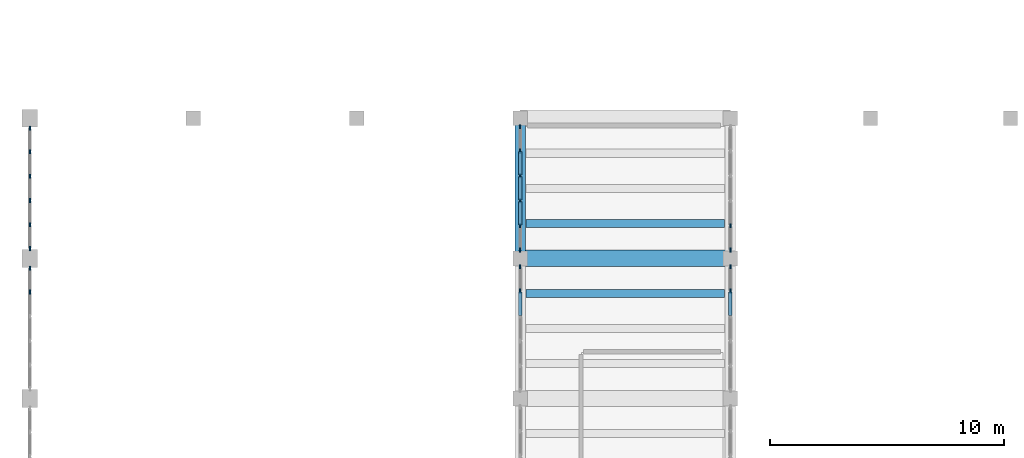
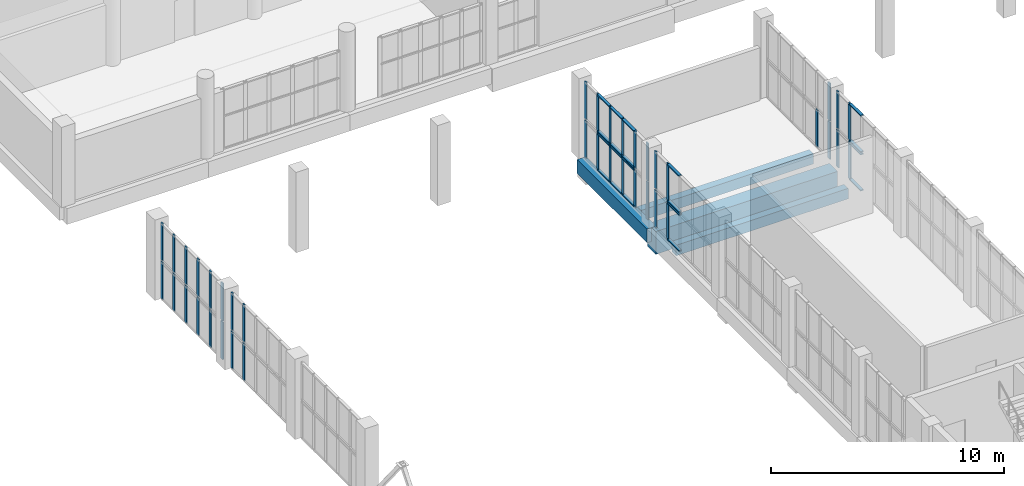
# One storey, part 18 of 85: 59 members, 4 beams, 12 elements without a shape of their own.
"""IFC4 building model written with IfcOpenShell, lengths in metres."""

from ifc_helpers import new_model, si_unit, direction, frame, origin, origin_2d, place, context, subcontext, project, spatial, rectangle, extrude, material, layer, layer_set, material_profile, profile_set, type_object, element, aggregate, save


model = new_model("IFC4")

# Units and contexts
model_context = context("Model", 3, precision=1e-05, world=origin(), true_north=direction((0.0, 1.0)))
body_context = subcontext(model_context, "Body", "Model", "MODEL_VIEW")
ifc_project = project(units=[si_unit("LENGTHUNIT", "METRE"), si_unit("AREAUNIT", "SQUARE_METRE"), si_unit("VOLUMEUNIT", "CUBIC_METRE"), si_unit("PLANEANGLEUNIT", "RADIAN"), si_unit("MASSUNIT", "GRAM", prefix="KILO")], contexts=[model_context])

# Site, building, storey
site_placement = place(None, origin())
site = spatial("IfcSite", under=ifc_project, at=site_placement, CompositionType="ELEMENT")
building_placement = place(site_placement, origin())
building = spatial("IfcBuilding", under=site, at=building_placement, Name="Solvane Community Centre", CompositionType="ELEMENT")
storey_placement = place(building_placement, frame((0.0, 0.0, 5.39990234375)))
storey = spatial("IfcBuildingStorey", under=building, at=storey_placement, Name="L01", CompositionType="ELEMENT", Elevation=5.39990234375)

# Curtain wall, members
ifc_material_1 = material(Name="Anodised bronze aluminium AW-6063 T6", Category="aluminium")
ifc_layer_1 = layer(ifc_material_1, 0.179931640625)
ifc_layer_set_1 = layer_set([ifc_layer_1], Name="Anodised bronze aluminium AW-6063 T6")
curtain_wall_type_1 = type_object("IfcCurtainWallType", Name="Hall Translucent Upper Curtain Wall [53x19dm]", PredefinedType="NOTDEFINED", material=ifc_layer_set_1)
curtain_wall_1_placement = place(storey_placement, origin())
curtain_wall_1 = element("IfcCurtainWall", 1, at=curtain_wall_1_placement, inside=storey, type_object=curtain_wall_type_1, Name="Curtain Wall CW-L01-360_663-057", PredefinedType="NOTDEFINED")
ifc_material_profile_1 = material_profile(ifc_material_1, rectangle(XDim=0.06005859375, YDim=0.179931640625, at=origin_2d()), Name="CW-M 60x180")
ifc_profile_set_1 = profile_set([ifc_material_profile_1], Name="Anodised bronze aluminium AW-6063 T6")
member_type_1 = type_object("IfcMemberType", Name="Hall Mullion 60x180", PredefinedType="MULLION", material=ifc_profile_set_1)
member_1_placement = place(storey_placement, frame((36.0, 70.60205078125, 0.0), z_axis=(0.0, 0.0, 1.0), x_axis=(-1.0, 0.0, 0.0)))
member_1 = element("IfcMember", 2, at=member_1_placement, type_object=member_type_1, Name="CW01-53x19 mullion 5", PredefinedType="MULLION", context=body_context, shape_type="SweptSolid", body=[
    extrude(rectangle(XDim=0.06005859375, YDim=0.179931640625, at=origin_2d()), origin(), (0.0, 0.0, 1.0), 1.9501953125),
])
member_2_placement = place(storey_placement, frame((36.0, 71.639892578125, 0.0), z_axis=(0.0, 0.0, 1.0), x_axis=(-1.0, 0.0, 0.0)))
member_2 = element("IfcMember", 3, at=member_2_placement, type_object=member_type_1, Name="CW01-53x19 mullion 6", PredefinedType="MULLION", context=body_context, shape_type="SweptSolid", body=[
    extrude(rectangle(XDim=0.06005859375, YDim=0.179931640625, at=origin_2d()), origin(), (0.0, 0.0, 1.0), 1.9501953125),
])

ifc_layer_2 = layer(ifc_material_1, 0.179931640625)
ifc_layer_set_2 = layer_set([ifc_layer_2], Name="Anodised bronze aluminium AW-6063 T6")
curtain_wall_type_2 = type_object("IfcCurtainWallType", Name="Hall Translucent Upper Curtain Wall [53x20dm]", PredefinedType="NOTDEFINED", material=ifc_layer_set_2)
curtain_wall_2_placement = place(storey_placement, origin())
curtain_wall_2 = element("IfcCurtainWall", 4, at=curtain_wall_2_placement, inside=storey, type_object=curtain_wall_type_2, Name="Curtain Wall CW-L01-360_663-058", PredefinedType="NOTDEFINED")
member_3_placement = place(storey_placement, frame((36.0, 70.60205078125, 2.02001953125), z_axis=(0.0, 0.0, 1.0), x_axis=(-1.0, 0.0, 0.0)))
member_3 = element("IfcMember", 5, at=member_3_placement, type_object=member_type_1, Name="CW01-53x20 mullion 5", PredefinedType="MULLION", context=body_context, shape_type="SweptSolid", body=[
    extrude(rectangle(XDim=0.06005859375, YDim=0.179931640625, at=origin_2d()), origin(), (0.0, 0.0, 1.0), 1.9599609375),
])
member_4_placement = place(storey_placement, frame((36.0, 71.639892578125, 2.02001953125), z_axis=(0.0, 0.0, 1.0), x_axis=(-1.0, 0.0, 0.0)))
member_4 = element("IfcMember", 6, at=member_4_placement, type_object=member_type_1, Name="CW01-53x20 mullion 6", PredefinedType="MULLION", context=body_context, shape_type="SweptSolid", body=[
    extrude(rectangle(XDim=0.06005859375, YDim=0.179931640625, at=origin_2d()), origin(), (0.0, 0.0, 1.0), 1.9599609375),
])

ifc_layer_3 = layer(ifc_material_1, 0.179931640625)
ifc_layer_set_3 = layer_set([ifc_layer_3], Name="Anodised bronze aluminium AW-6063 T6")
curtain_wall_type_3 = type_object("IfcCurtainWallType", Name="Hall Translucent Upper Curtain Wall [52x19dm]", PredefinedType="NOTDEFINED", material=ifc_layer_set_3)
curtain_wall_3_placement = place(storey_placement, origin())
curtain_wall_3 = element("IfcCurtainWall", 7, at=curtain_wall_3_placement, inside=storey, type_object=curtain_wall_type_3, Name="Curtain Wall CW-L01-60_664-061", PredefinedType="NOTDEFINED")
member_5_placement = place(storey_placement, frame((6.0, 70.56298828125, 0.0), z_axis=(0.0, 0.0, 1.0), x_axis=(-1.0, 0.0, 0.0)))
member_5 = element("IfcMember", 8, at=member_5_placement, type_object=member_type_1, Name="CW01-52x19 mullion 5", PredefinedType="MULLION", context=body_context, shape_type="SweptSolid", body=[
    extrude(rectangle(XDim=0.06005859375, YDim=0.179931640625, at=origin_2d()), origin(), (0.0, 0.0, 1.0), 1.9501953125),
])
member_6_placement = place(storey_placement, frame((6.0, 71.574951171875, 0.0), z_axis=(0.0, 0.0, 1.0), x_axis=(-1.0, 0.0, 0.0)))
member_6 = element("IfcMember", 9, at=member_6_placement, type_object=member_type_1, Name="CW01-52x19 mullion 6", PredefinedType="MULLION", context=body_context, shape_type="SweptSolid", body=[
    extrude(rectangle(XDim=0.06005859375, YDim=0.179931640625, at=origin_2d()), origin(), (0.0, 0.0, 1.0), 1.9501953125),
])
aggregate(curtain_wall_3, [member_5, member_6])

ifc_layer_4 = layer(ifc_material_1, 0.179931640625)
ifc_layer_set_4 = layer_set([ifc_layer_4], Name="Anodised bronze aluminium AW-6063 T6")
curtain_wall_type_4 = type_object("IfcCurtainWallType", Name="Hall Translucent Upper Curtain Wall [52x20dm]", PredefinedType="NOTDEFINED", material=ifc_layer_set_4)
curtain_wall_4_placement = place(storey_placement, origin())
curtain_wall_4 = element("IfcCurtainWall", 10, at=curtain_wall_4_placement, inside=storey, type_object=curtain_wall_type_4, Name="Curtain Wall CW-L01-60_664-062", PredefinedType="NOTDEFINED")
member_7_placement = place(storey_placement, frame((6.0, 70.56298828125, 2.02001953125), z_axis=(0.0, 0.0, 1.0), x_axis=(-1.0, 0.0, 0.0)))
member_7 = element("IfcMember", 11, at=member_7_placement, type_object=member_type_1, Name="CW01-52x20 mullion 5", PredefinedType="MULLION", context=body_context, shape_type="SweptSolid", body=[
    extrude(rectangle(XDim=0.06005859375, YDim=0.179931640625, at=origin_2d()), origin(), (0.0, 0.0, 1.0), 1.9599609375),
])
member_8_placement = place(storey_placement, frame((6.0, 71.574951171875, 2.02001953125), z_axis=(0.0, 0.0, 1.0), x_axis=(-1.0, 0.0, 0.0)))
member_8 = element("IfcMember", 12, at=member_8_placement, type_object=member_type_1, Name="CW01-52x20 mullion 6", PredefinedType="MULLION", context=body_context, shape_type="SweptSolid", body=[
    extrude(rectangle(XDim=0.06005859375, YDim=0.179931640625, at=origin_2d()), origin(), (0.0, 0.0, 1.0), 1.9599609375),
])
aggregate(curtain_wall_4, [member_7, member_8])

curtain_wall_5_placement = place(storey_placement, origin())
curtain_wall_5 = element("IfcCurtainWall", 13, at=curtain_wall_5_placement, inside=storey, type_object=curtain_wall_type_1, Name="Curtain Wall CW-L01-270_717-063", PredefinedType="NOTDEFINED")
member_9_placement = place(storey_placement, frame((27.0, 71.639892578125, 0.0), z_axis=(0.0, 0.0, 1.0), x_axis=(1.0, 0.0, 0.0)))
member_9 = element("IfcMember", 14, at=member_9_placement, type_object=member_type_1, Name="CW01-53x19 mullion 1", PredefinedType="MULLION", context=body_context, shape_type="SweptSolid", body=[
    extrude(rectangle(XDim=0.06005859375, YDim=0.179931640625, at=origin_2d()), origin(), (0.0, 0.0, 1.0), 1.9501953125),
])
member_10_placement = place(storey_placement, frame((27.0, 70.60205078125, 0.0), z_axis=(0.0, 0.0, 1.0), x_axis=(1.0, 0.0, 0.0)))
member_10 = element("IfcMember", 15, at=member_10_placement, type_object=member_type_1, Name="CW01-53x19 mullion 2", PredefinedType="MULLION", context=body_context, shape_type="SweptSolid", body=[
    extrude(rectangle(XDim=0.06005859375, YDim=0.179931640625, at=origin_2d()), origin(), (0.0, 0.0, 1.0), 1.9501953125),
])

curtain_wall_6_placement = place(storey_placement, origin())
curtain_wall_6 = element("IfcCurtainWall", 16, at=curtain_wall_6_placement, inside=storey, type_object=curtain_wall_type_2, Name="Curtain Wall CW-L01-270_717-064", PredefinedType="NOTDEFINED")
member_11_placement = place(storey_placement, frame((27.0, 71.639892578125, 2.02001953125), z_axis=(0.0, 0.0, 1.0), x_axis=(1.0, 0.0, 0.0)))
member_11 = element("IfcMember", 17, at=member_11_placement, type_object=member_type_1, Name="CW01-53x20 mullion 1", PredefinedType="MULLION", context=body_context, shape_type="SweptSolid", body=[
    extrude(rectangle(XDim=0.06005859375, YDim=0.179931640625, at=origin_2d()), origin(), (0.0, 0.0, 1.0), 1.9599609375),
])
member_12_placement = place(storey_placement, frame((27.0, 70.60205078125, 2.02001953125), z_axis=(0.0, 0.0, 1.0), x_axis=(1.0, 0.0, 0.0)))
member_12 = element("IfcMember", 18, at=member_12_placement, type_object=member_type_1, Name="CW01-53x20 mullion 2", PredefinedType="MULLION", context=body_context, shape_type="SweptSolid", body=[
    extrude(rectangle(XDim=0.06005859375, YDim=0.179931640625, at=origin_2d()), origin(), (0.0, 0.0, 1.0), 1.9599609375),
])

curtain_wall_7_placement = place(storey_placement, origin())
curtain_wall_7 = element("IfcCurtainWall", 19, at=curtain_wall_7_placement, inside=storey, type_object=curtain_wall_type_1, Name="Curtain Wall CW-L01-360_723-065", PredefinedType="NOTDEFINED")
member_13_placement = place(storey_placement, frame((36.0, 72.360107421875, 0.0), z_axis=(0.0, 0.0, 1.0), x_axis=(-1.0, 0.0, 0.0)))
member_13 = element("IfcMember", 20, at=member_13_placement, type_object=member_type_1, Name="CW01-53x19 mullion 1", PredefinedType="MULLION", context=body_context, shape_type="SweptSolid", body=[
    extrude(rectangle(XDim=0.06005859375, YDim=0.179931640625, at=origin_2d()), origin(), (0.0, 0.0, 1.0), 1.9501953125),
])
member_14_placement = place(storey_placement, frame((36.0, 73.39794921875, 0.0), z_axis=(0.0, 0.0, 1.0), x_axis=(-1.0, 0.0, 0.0)))
member_14 = element("IfcMember", 21, at=member_14_placement, type_object=member_type_1, Name="CW01-53x19 mullion 2", PredefinedType="MULLION", context=body_context, shape_type="SweptSolid", body=[
    extrude(rectangle(XDim=0.06005859375, YDim=0.179931640625, at=origin_2d()), origin(), (0.0, 0.0, 1.0), 1.9501953125),
])
aggregate(curtain_wall_7, [member_13, member_14])

# Curtain wall, member
curtain_wall_8_placement = place(storey_placement, origin())
curtain_wall_8 = element("IfcCurtainWall", 22, at=curtain_wall_8_placement, inside=storey, type_object=curtain_wall_type_2, Name="Curtain Wall CW-L01-360_723-066", PredefinedType="NOTDEFINED")
member_15_placement = place(storey_placement, frame((36.0, 72.360107421875, 2.02001953125), z_axis=(0.0, 0.0, 1.0), x_axis=(-1.0, 0.0, 0.0)))
member_15 = element("IfcMember", 23, at=member_15_placement, type_object=member_type_1, Name="CW01-53x20 mullion 1", PredefinedType="MULLION", context=body_context, shape_type="SweptSolid", body=[
    extrude(rectangle(XDim=0.06005859375, YDim=0.179931640625, at=origin_2d()), origin(), (0.0, 0.0, 1.0), 1.9599609375),
])
aggregate(curtain_wall_8, [member_15])

# Curtain wall, members
curtain_wall_9_placement = place(storey_placement, origin())
curtain_wall_9 = element("IfcCurtainWall", 24, at=curtain_wall_9_placement, inside=storey, type_object=curtain_wall_type_3, Name="Curtain Wall CW-L01-60_724-069", PredefinedType="NOTDEFINED")
member_16_placement = place(storey_placement, frame((6.0, 72.425048828125, 0.0), z_axis=(0.0, 0.0, 1.0), x_axis=(-1.0, 0.0, 0.0)))
member_16 = element("IfcMember", 25, at=member_16_placement, type_object=member_type_1, Name="CW01-52x19 mullion 1", PredefinedType="MULLION", context=body_context, shape_type="SweptSolid", body=[
    extrude(rectangle(XDim=0.06005859375, YDim=0.179931640625, at=origin_2d()), origin(), (0.0, 0.0, 1.0), 1.9501953125),
])
member_17_placement = place(storey_placement, frame((6.0, 73.43701171875, 0.0), z_axis=(0.0, 0.0, 1.0), x_axis=(-1.0, 0.0, 0.0)))
member_17 = element("IfcMember", 26, at=member_17_placement, type_object=member_type_1, Name="CW01-52x19 mullion 2", PredefinedType="MULLION", context=body_context, shape_type="SweptSolid", body=[
    extrude(rectangle(XDim=0.06005859375, YDim=0.179931640625, at=origin_2d()), origin(), (0.0, 0.0, 1.0), 1.9501953125),
])
member_18_placement = place(storey_placement, frame((6.0, 74.47900390625, 0.0), z_axis=(0.0, 0.0, 1.0), x_axis=(-1.0, 0.0, 0.0)))
member_18 = element("IfcMember", 27, at=member_18_placement, type_object=member_type_1, Name="CW01-52x19 mullion 3", PredefinedType="MULLION", context=body_context, shape_type="SweptSolid", body=[
    extrude(rectangle(XDim=0.06005859375, YDim=0.179931640625, at=origin_2d()), origin(), (0.0, 0.0, 1.0), 1.9501953125),
])
member_19_placement = place(storey_placement, frame((6.0, 75.52099609375, 0.0), z_axis=(0.0, 0.0, 1.0), x_axis=(-1.0, 0.0, 0.0)))
member_19 = element("IfcMember", 28, at=member_19_placement, type_object=member_type_1, Name="CW01-52x19 mullion 4", PredefinedType="MULLION", context=body_context, shape_type="SweptSolid", body=[
    extrude(rectangle(XDim=0.06005859375, YDim=0.179931640625, at=origin_2d()), origin(), (0.0, 0.0, 1.0), 1.9501953125),
])
member_20_placement = place(storey_placement, frame((6.0, 76.56298828125, 0.0), z_axis=(0.0, 0.0, 1.0), x_axis=(-1.0, 0.0, 0.0)))
member_20 = element("IfcMember", 29, at=member_20_placement, type_object=member_type_1, Name="CW01-52x19 mullion 5", PredefinedType="MULLION", context=body_context, shape_type="SweptSolid", body=[
    extrude(rectangle(XDim=0.06005859375, YDim=0.179931640625, at=origin_2d()), origin(), (0.0, 0.0, 1.0), 1.9501953125),
])
member_21_placement = place(storey_placement, frame((6.0, 77.574951171875, 0.0), z_axis=(0.0, 0.0, 1.0), x_axis=(-1.0, 0.0, 0.0)))
member_21 = element("IfcMember", 30, at=member_21_placement, type_object=member_type_1, Name="CW01-52x19 mullion 6", PredefinedType="MULLION", context=body_context, shape_type="SweptSolid", body=[
    extrude(rectangle(XDim=0.06005859375, YDim=0.179931640625, at=origin_2d()), origin(), (0.0, 0.0, 1.0), 1.9501953125),
])
aggregate(curtain_wall_9, [member_16, member_17, member_18, member_19, member_20, member_21])

curtain_wall_10_placement = place(storey_placement, origin())
curtain_wall_10 = element("IfcCurtainWall", 31, at=curtain_wall_10_placement, inside=storey, type_object=curtain_wall_type_4, Name="Curtain Wall CW-L01-60_724-070", PredefinedType="NOTDEFINED")
member_22_placement = place(storey_placement, frame((6.0, 72.425048828125, 2.02001953125), z_axis=(0.0, 0.0, 1.0), x_axis=(-1.0, 0.0, 0.0)))
member_22 = element("IfcMember", 32, at=member_22_placement, type_object=member_type_1, Name="CW01-52x20 mullion 1", PredefinedType="MULLION", context=body_context, shape_type="SweptSolid", body=[
    extrude(rectangle(XDim=0.06005859375, YDim=0.179931640625, at=origin_2d()), origin(), (0.0, 0.0, 1.0), 1.9599609375),
])
member_23_placement = place(storey_placement, frame((6.0, 73.43701171875, 2.02001953125), z_axis=(0.0, 0.0, 1.0), x_axis=(-1.0, 0.0, 0.0)))
member_23 = element("IfcMember", 33, at=member_23_placement, type_object=member_type_1, Name="CW01-52x20 mullion 2", PredefinedType="MULLION", context=body_context, shape_type="SweptSolid", body=[
    extrude(rectangle(XDim=0.06005859375, YDim=0.179931640625, at=origin_2d()), origin(), (0.0, 0.0, 1.0), 1.9599609375),
])
member_24_placement = place(storey_placement, frame((6.0, 74.47900390625, 2.02001953125), z_axis=(0.0, 0.0, 1.0), x_axis=(-1.0, 0.0, 0.0)))
member_24 = element("IfcMember", 34, at=member_24_placement, type_object=member_type_1, Name="CW01-52x20 mullion 3", PredefinedType="MULLION", context=body_context, shape_type="SweptSolid", body=[
    extrude(rectangle(XDim=0.06005859375, YDim=0.179931640625, at=origin_2d()), origin(), (0.0, 0.0, 1.0), 1.9599609375),
])
member_25_placement = place(storey_placement, frame((6.0, 75.52099609375, 2.02001953125), z_axis=(0.0, 0.0, 1.0), x_axis=(-1.0, 0.0, 0.0)))
member_25 = element("IfcMember", 35, at=member_25_placement, type_object=member_type_1, Name="CW01-52x20 mullion 4", PredefinedType="MULLION", context=body_context, shape_type="SweptSolid", body=[
    extrude(rectangle(XDim=0.06005859375, YDim=0.179931640625, at=origin_2d()), origin(), (0.0, 0.0, 1.0), 1.9599609375),
])
member_26_placement = place(storey_placement, frame((6.0, 76.56298828125, 2.02001953125), z_axis=(0.0, 0.0, 1.0), x_axis=(-1.0, 0.0, 0.0)))
member_26 = element("IfcMember", 36, at=member_26_placement, type_object=member_type_1, Name="CW01-52x20 mullion 5", PredefinedType="MULLION", context=body_context, shape_type="SweptSolid", body=[
    extrude(rectangle(XDim=0.06005859375, YDim=0.179931640625, at=origin_2d()), origin(), (0.0, 0.0, 1.0), 1.9599609375),
])
member_27_placement = place(storey_placement, frame((6.0, 77.574951171875, 2.02001953125), z_axis=(0.0, 0.0, 1.0), x_axis=(-1.0, 0.0, 0.0)))
member_27 = element("IfcMember", 37, at=member_27_placement, type_object=member_type_1, Name="CW01-52x20 mullion 6", PredefinedType="MULLION", context=body_context, shape_type="SweptSolid", body=[
    extrude(rectangle(XDim=0.06005859375, YDim=0.179931640625, at=origin_2d()), origin(), (0.0, 0.0, 1.0), 1.9599609375),
])
aggregate(curtain_wall_10, [member_22, member_23, member_24, member_25, member_26, member_27])

curtain_wall_11_placement = place(storey_placement, origin())
curtain_wall_11 = element("IfcCurtainWall", 38, at=curtain_wall_11_placement, inside=storey, type_object=curtain_wall_type_1, Name="Curtain Wall CW-L01-270_777-071", PredefinedType="NOTDEFINED")
member_28_placement = place(storey_placement, frame((27.0, 77.639892578125, 0.0), z_axis=(0.0, 0.0, 1.0), x_axis=(1.0, 0.0, 0.0)))
member_28 = element("IfcMember", 39, at=member_28_placement, type_object=member_type_1, Name="CW01-53x19 mullion 1", PredefinedType="MULLION", context=body_context, shape_type="SweptSolid", body=[
    extrude(rectangle(XDim=0.06005859375, YDim=0.179931640625, at=origin_2d()), origin(), (0.0, 0.0, 1.0), 1.9501953125),
])
member_29_placement = place(storey_placement, frame((27.0, 76.60205078125, 0.0), z_axis=(0.0, 0.0, 1.0), x_axis=(1.0, 0.0, 0.0)))
member_29 = element("IfcMember", 40, at=member_29_placement, type_object=member_type_1, Name="CW01-53x19 mullion 2", PredefinedType="MULLION", context=body_context, shape_type="SweptSolid", body=[
    extrude(rectangle(XDim=0.06005859375, YDim=0.179931640625, at=origin_2d()), origin(), (0.0, 0.0, 1.0), 1.9501953125),
])
member_30_placement = place(storey_placement, frame((27.0, 75.533935546875, 0.0), z_axis=(0.0, 0.0, 1.0), x_axis=(1.0, 0.0, 0.0)))
member_30 = element("IfcMember", 41, at=member_30_placement, type_object=member_type_1, Name="CW01-53x19 mullion 3", PredefinedType="MULLION", context=body_context, shape_type="SweptSolid", body=[
    extrude(rectangle(XDim=0.06005859375, YDim=0.179931640625, at=origin_2d()), origin(), (0.0, 0.0, 1.0), 1.9501953125),
])
member_31_placement = place(storey_placement, frame((27.0, 74.466064453125, 0.0), z_axis=(0.0, 0.0, 1.0), x_axis=(1.0, 0.0, 0.0)))
member_31 = element("IfcMember", 42, at=member_31_placement, type_object=member_type_1, Name="CW01-53x19 mullion 4", PredefinedType="MULLION", context=body_context, shape_type="SweptSolid", body=[
    extrude(rectangle(XDim=0.06005859375, YDim=0.179931640625, at=origin_2d()), origin(), (0.0, 0.0, 1.0), 1.9501953125),
])
member_32_placement = place(storey_placement, frame((27.0, 73.39794921875, 0.0), z_axis=(0.0, 0.0, 1.0), x_axis=(1.0, 0.0, 0.0)))
member_32 = element("IfcMember", 43, at=member_32_placement, type_object=member_type_1, Name="CW01-53x19 mullion 5", PredefinedType="MULLION", context=body_context, shape_type="SweptSolid", body=[
    extrude(rectangle(XDim=0.06005859375, YDim=0.179931640625, at=origin_2d()), origin(), (0.0, 0.0, 1.0), 1.9501953125),
])
member_33_placement = place(storey_placement, frame((27.0, 72.360107421875, 0.0), z_axis=(0.0, 0.0, 1.0), x_axis=(1.0, 0.0, 0.0)))
member_33 = element("IfcMember", 44, at=member_33_placement, type_object=member_type_1, Name="CW01-53x19 mullion 6", PredefinedType="MULLION", context=body_context, shape_type="SweptSolid", body=[
    extrude(rectangle(XDim=0.06005859375, YDim=0.179931640625, at=origin_2d()), origin(), (0.0, 0.0, 1.0), 1.9501953125),
])

curtain_wall_12_placement = place(storey_placement, origin())
curtain_wall_12 = element("IfcCurtainWall", 45, at=curtain_wall_12_placement, inside=storey, type_object=curtain_wall_type_2, Name="Curtain Wall CW-L01-270_777-072", PredefinedType="NOTDEFINED")
member_34_placement = place(storey_placement, frame((27.0, 77.639892578125, 2.02001953125), z_axis=(0.0, 0.0, 1.0), x_axis=(1.0, 0.0, 0.0)))
member_34 = element("IfcMember", 46, at=member_34_placement, type_object=member_type_1, Name="CW01-53x20 mullion 1", PredefinedType="MULLION", context=body_context, shape_type="SweptSolid", body=[
    extrude(rectangle(XDim=0.06005859375, YDim=0.179931640625, at=origin_2d()), origin(), (0.0, 0.0, 1.0), 1.9599609375),
])
member_35_placement = place(storey_placement, frame((27.0, 76.60205078125, 2.02001953125), z_axis=(0.0, 0.0, 1.0), x_axis=(1.0, 0.0, 0.0)))
member_35 = element("IfcMember", 47, at=member_35_placement, type_object=member_type_1, Name="CW01-53x20 mullion 2", PredefinedType="MULLION", context=body_context, shape_type="SweptSolid", body=[
    extrude(rectangle(XDim=0.06005859375, YDim=0.179931640625, at=origin_2d()), origin(), (0.0, 0.0, 1.0), 1.9599609375),
])
member_36_placement = place(storey_placement, frame((27.0, 75.533935546875, 2.02001953125), z_axis=(0.0, 0.0, 1.0), x_axis=(1.0, 0.0, 0.0)))
member_36 = element("IfcMember", 48, at=member_36_placement, type_object=member_type_1, Name="CW01-53x20 mullion 3", PredefinedType="MULLION", context=body_context, shape_type="SweptSolid", body=[
    extrude(rectangle(XDim=0.06005859375, YDim=0.179931640625, at=origin_2d()), origin(), (0.0, 0.0, 1.0), 1.9599609375),
])
member_37_placement = place(storey_placement, frame((27.0, 74.466064453125, 2.02001953125), z_axis=(0.0, 0.0, 1.0), x_axis=(1.0, 0.0, 0.0)))
member_37 = element("IfcMember", 49, at=member_37_placement, type_object=member_type_1, Name="CW01-53x20 mullion 4", PredefinedType="MULLION", context=body_context, shape_type="SweptSolid", body=[
    extrude(rectangle(XDim=0.06005859375, YDim=0.179931640625, at=origin_2d()), origin(), (0.0, 0.0, 1.0), 1.9599609375),
])
member_38_placement = place(storey_placement, frame((27.0, 73.39794921875, 2.02001953125), z_axis=(0.0, 0.0, 1.0), x_axis=(1.0, 0.0, 0.0)))
member_38 = element("IfcMember", 50, at=member_38_placement, type_object=member_type_1, Name="CW01-53x20 mullion 5", PredefinedType="MULLION", context=body_context, shape_type="SweptSolid", body=[
    extrude(rectangle(XDim=0.06005859375, YDim=0.179931640625, at=origin_2d()), origin(), (0.0, 0.0, 1.0), 1.9599609375),
])
member_39_placement = place(storey_placement, frame((27.0, 72.360107421875, 2.02001953125), z_axis=(0.0, 0.0, 1.0), x_axis=(1.0, 0.0, 0.0)))
member_39 = element("IfcMember", 51, at=member_39_placement, type_object=member_type_1, Name="CW01-53x20 mullion 6", PredefinedType="MULLION", context=body_context, shape_type="SweptSolid", body=[
    extrude(rectangle(XDim=0.06005859375, YDim=0.179931640625, at=origin_2d()), origin(), (0.0, 0.0, 1.0), 1.9599609375),
])

# Member
ifc_material_profile_2 = material_profile(ifc_material_1, rectangle(XDim=0.139892578125, YDim=0.06005859375, at=origin_2d()), Name="CW-T 60x140")
ifc_profile_set_2 = profile_set([ifc_material_profile_2], Name="Anodised bronze aluminium AW-6063 T6")
member_type_2 = type_object("IfcMemberType", Name="Hall Transom 60x140", PredefinedType="USERDEFINED", material=ifc_profile_set_2)
member_40_placement = place(storey_placement, frame((36.0, 69.56396484375, 0.030029296875), z_axis=(0.0, 1.0, 0.0), x_axis=(-1.0, 0.0, 0.0)))
member_40 = element("IfcMember", 52, at=member_40_placement, type_object=member_type_2, Name="CW01-53x19 transom 4.1", ObjectType="TRANSOM", PredefinedType="USERDEFINED", context=body_context, shape_type="SweptSolid", body=[
    extrude(rectangle(XDim=0.139892578125, YDim=0.06005859375, at=origin_2d()), origin(), (0.0, 0.0, 1.0), 1.008056640625),
])

member_41_placement = place(storey_placement, frame((36.0, 69.56396484375, 1.920166015625), z_axis=(0.0, 1.0, 0.0), x_axis=(-1.0, 0.0, 0.0)))
member_41 = element("IfcMember", 53, at=member_41_placement, type_object=member_type_2, Name="CW01-53x19 transom 4.2", ObjectType="TRANSOM", PredefinedType="USERDEFINED", context=body_context, shape_type="SweptSolid", body=[
    extrude(rectangle(XDim=0.139892578125, YDim=0.06005859375, at=origin_2d()), origin(), (0.0, 0.0, 1.0), 1.008056640625),
])

aggregate(curtain_wall_1, [member_1, member_2, member_40, member_41])

member_42_placement = place(storey_placement, frame((36.0, 69.56396484375, 2.050048828125), z_axis=(0.0, 1.0, 0.0), x_axis=(-1.0, 0.0, 0.0)))
member_42 = element("IfcMember", 54, at=member_42_placement, type_object=member_type_2, Name="CW01-53x20 transom 4.1", ObjectType="TRANSOM", PredefinedType="USERDEFINED", context=body_context, shape_type="SweptSolid", body=[
    extrude(rectangle(XDim=0.139892578125, YDim=0.06005859375, at=origin_2d()), origin(), (0.0, 0.0, 1.0), 1.008056640625),
])

member_43_placement = place(storey_placement, frame((36.0, 69.56396484375, 3.9501953125), z_axis=(0.0, 1.0, 0.0), x_axis=(-1.0, 0.0, 0.0)))
member_43 = element("IfcMember", 55, at=member_43_placement, type_object=member_type_2, Name="CW01-53x20 transom 4.2", ObjectType="TRANSOM", PredefinedType="USERDEFINED", context=body_context, shape_type="SweptSolid", body=[
    extrude(rectangle(XDim=0.139892578125, YDim=0.06005859375, at=origin_2d()), origin(), (0.0, 0.0, 1.0), 1.008056640625),
])

aggregate(curtain_wall_2, [member_3, member_4, member_42, member_43])

member_44_placement = place(storey_placement, frame((27.0, 70.572021484375, 0.030029296875), z_axis=(0.0, -1.0, 0.0), x_axis=(1.0, 0.0, 0.0)))
member_44 = element("IfcMember", 56, at=member_44_placement, type_object=member_type_2, Name="CW01-53x19 transom 2.1", ObjectType="TRANSOM", PredefinedType="USERDEFINED", context=body_context, shape_type="SweptSolid", body=[
    extrude(rectangle(XDim=0.139892578125, YDim=0.06005859375, at=origin_2d()), origin(), (0.0, 0.0, 1.0), 1.008056640625),
])

member_45_placement = place(storey_placement, frame((27.0, 70.572021484375, 1.920166015625), z_axis=(0.0, -1.0, 0.0), x_axis=(1.0, 0.0, 0.0)))
member_45 = element("IfcMember", 57, at=member_45_placement, type_object=member_type_2, Name="CW01-53x19 transom 2.2", ObjectType="TRANSOM", PredefinedType="USERDEFINED", context=body_context, shape_type="SweptSolid", body=[
    extrude(rectangle(XDim=0.139892578125, YDim=0.06005859375, at=origin_2d()), origin(), (0.0, 0.0, 1.0), 1.008056640625),
])

aggregate(curtain_wall_5, [member_9, member_10, member_44, member_45])

member_46_placement = place(storey_placement, frame((27.0, 70.572021484375, 2.050048828125), z_axis=(0.0, -1.0, 0.0), x_axis=(1.0, 0.0, 0.0)))
member_46 = element("IfcMember", 58, at=member_46_placement, type_object=member_type_2, Name="CW01-53x20 transom 2.1", ObjectType="TRANSOM", PredefinedType="USERDEFINED", context=body_context, shape_type="SweptSolid", body=[
    extrude(rectangle(XDim=0.139892578125, YDim=0.06005859375, at=origin_2d()), origin(), (0.0, 0.0, 1.0), 1.008056640625),
])

member_47_placement = place(storey_placement, frame((27.0, 70.572021484375, 3.9501953125), z_axis=(0.0, -1.0, 0.0), x_axis=(1.0, 0.0, 0.0)))
member_47 = element("IfcMember", 59, at=member_47_placement, type_object=member_type_2, Name="CW01-53x20 transom 2.2", ObjectType="TRANSOM", PredefinedType="USERDEFINED", context=body_context, shape_type="SweptSolid", body=[
    extrude(rectangle(XDim=0.139892578125, YDim=0.06005859375, at=origin_2d()), origin(), (0.0, 0.0, 1.0), 1.008056640625),
])

aggregate(curtain_wall_6, [member_11, member_12, member_46, member_47])

member_48_placement = place(storey_placement, frame((27.0, 76.572021484375, 0.030029296875), z_axis=(0.0, -1.0, 0.0), x_axis=(1.0, 0.0, 0.0)))
member_48 = element("IfcMember", 60, at=member_48_placement, type_object=member_type_2, Name="CW01-53x19 transom 2.1", ObjectType="TRANSOM", PredefinedType="USERDEFINED", context=body_context, shape_type="SweptSolid", body=[
    extrude(rectangle(XDim=0.139892578125, YDim=0.06005859375, at=origin_2d()), origin(), (0.0, 0.0, 1.0), 1.008056640625),
])

member_49_placement = place(storey_placement, frame((27.0, 76.572021484375, 1.920166015625), z_axis=(0.0, -1.0, 0.0), x_axis=(1.0, 0.0, 0.0)))
member_49 = element("IfcMember", 61, at=member_49_placement, type_object=member_type_2, Name="CW01-53x19 transom 2.2", ObjectType="TRANSOM", PredefinedType="USERDEFINED", context=body_context, shape_type="SweptSolid", body=[
    extrude(rectangle(XDim=0.139892578125, YDim=0.06005859375, at=origin_2d()), origin(), (0.0, 0.0, 1.0), 1.008056640625),
])

member_50_placement = place(storey_placement, frame((27.0, 75.50390625, 0.030029296875), z_axis=(0.0, -1.0, 0.0), x_axis=(1.0, 0.0, 0.0)))
member_50 = element("IfcMember", 62, at=member_50_placement, type_object=member_type_2, Name="CW01-53x19 transom 3.1", ObjectType="TRANSOM", PredefinedType="USERDEFINED", context=body_context, shape_type="SweptSolid", body=[
    extrude(rectangle(XDim=0.139892578125, YDim=0.06005859375, at=origin_2d()), origin(), (0.0, 0.0, 1.0), 1.0078125),
])

member_51_placement = place(storey_placement, frame((27.0, 75.50390625, 1.920166015625), z_axis=(0.0, -1.0, 0.0), x_axis=(1.0, 0.0, 0.0)))
member_51 = element("IfcMember", 63, at=member_51_placement, type_object=member_type_2, Name="CW01-53x19 transom 3.2", ObjectType="TRANSOM", PredefinedType="USERDEFINED", context=body_context, shape_type="SweptSolid", body=[
    extrude(rectangle(XDim=0.139892578125, YDim=0.06005859375, at=origin_2d()), origin(), (0.0, 0.0, 1.0), 1.0078125),
])

member_52_placement = place(storey_placement, frame((27.0, 74.43603515625, 0.030029296875), z_axis=(0.0, -1.0, 0.0), x_axis=(1.0, 0.0, 0.0)))
member_52 = element("IfcMember", 64, at=member_52_placement, type_object=member_type_2, Name="CW01-53x19 transom 4.1", ObjectType="TRANSOM", PredefinedType="USERDEFINED", context=body_context, shape_type="SweptSolid", body=[
    extrude(rectangle(XDim=0.139892578125, YDim=0.06005859375, at=origin_2d()), origin(), (0.0, 0.0, 1.0), 1.008056640625),
])

member_53_placement = place(storey_placement, frame((27.0, 74.43603515625, 1.920166015625), z_axis=(0.0, -1.0, 0.0), x_axis=(1.0, 0.0, 0.0)))
member_53 = element("IfcMember", 65, at=member_53_placement, type_object=member_type_2, Name="CW01-53x19 transom 4.2", ObjectType="TRANSOM", PredefinedType="USERDEFINED", context=body_context, shape_type="SweptSolid", body=[
    extrude(rectangle(XDim=0.139892578125, YDim=0.06005859375, at=origin_2d()), origin(), (0.0, 0.0, 1.0), 1.008056640625),
])

aggregate(curtain_wall_11, [member_28, member_29, member_30, member_31, member_32, member_33, member_48, member_49, member_50, member_51, member_52, member_53])

member_54_placement = place(storey_placement, frame((27.0, 76.572021484375, 2.050048828125), z_axis=(0.0, -1.0, 0.0), x_axis=(1.0, 0.0, 0.0)))
member_54 = element("IfcMember", 66, at=member_54_placement, type_object=member_type_2, Name="CW01-53x20 transom 2.1", ObjectType="TRANSOM", PredefinedType="USERDEFINED", context=body_context, shape_type="SweptSolid", body=[
    extrude(rectangle(XDim=0.139892578125, YDim=0.06005859375, at=origin_2d()), origin(), (0.0, 0.0, 1.0), 1.008056640625),
])

member_55_placement = place(storey_placement, frame((27.0, 76.572021484375, 3.9501953125), z_axis=(0.0, -1.0, 0.0), x_axis=(1.0, 0.0, 0.0)))
member_55 = element("IfcMember", 67, at=member_55_placement, type_object=member_type_2, Name="CW01-53x20 transom 2.2", ObjectType="TRANSOM", PredefinedType="USERDEFINED", context=body_context, shape_type="SweptSolid", body=[
    extrude(rectangle(XDim=0.139892578125, YDim=0.06005859375, at=origin_2d()), origin(), (0.0, 0.0, 1.0), 1.008056640625),
])

member_56_placement = place(storey_placement, frame((27.0, 75.50390625, 2.050048828125), z_axis=(0.0, -1.0, 0.0), x_axis=(1.0, 0.0, 0.0)))
member_56 = element("IfcMember", 68, at=member_56_placement, type_object=member_type_2, Name="CW01-53x20 transom 3.1", ObjectType="TRANSOM", PredefinedType="USERDEFINED", context=body_context, shape_type="SweptSolid", body=[
    extrude(rectangle(XDim=0.139892578125, YDim=0.06005859375, at=origin_2d()), origin(), (0.0, 0.0, 1.0), 1.0078125),
])

member_57_placement = place(storey_placement, frame((27.0, 75.50390625, 3.9501953125), z_axis=(0.0, -1.0, 0.0), x_axis=(1.0, 0.0, 0.0)))
member_57 = element("IfcMember", 69, at=member_57_placement, type_object=member_type_2, Name="CW01-53x20 transom 3.2", ObjectType="TRANSOM", PredefinedType="USERDEFINED", context=body_context, shape_type="SweptSolid", body=[
    extrude(rectangle(XDim=0.139892578125, YDim=0.06005859375, at=origin_2d()), origin(), (0.0, 0.0, 1.0), 1.0078125),
])

member_58_placement = place(storey_placement, frame((27.0, 74.43603515625, 2.050048828125), z_axis=(0.0, -1.0, 0.0), x_axis=(1.0, 0.0, 0.0)))
member_58 = element("IfcMember", 70, at=member_58_placement, type_object=member_type_2, Name="CW01-53x20 transom 4.1", ObjectType="TRANSOM", PredefinedType="USERDEFINED", context=body_context, shape_type="SweptSolid", body=[
    extrude(rectangle(XDim=0.139892578125, YDim=0.06005859375, at=origin_2d()), origin(), (0.0, 0.0, 1.0), 1.008056640625),
])

member_59_placement = place(storey_placement, frame((27.0, 74.43603515625, 3.9501953125), z_axis=(0.0, -1.0, 0.0), x_axis=(1.0, 0.0, 0.0)))
member_59 = element("IfcMember", 71, at=member_59_placement, type_object=member_type_2, Name="CW01-53x20 transom 4.2", ObjectType="TRANSOM", PredefinedType="USERDEFINED", context=body_context, shape_type="SweptSolid", body=[
    extrude(rectangle(XDim=0.139892578125, YDim=0.06005859375, at=origin_2d()), origin(), (0.0, 0.0, 1.0), 1.008056640625),
])

aggregate(curtain_wall_12, [member_34, member_35, member_36, member_37, member_38, member_39, member_54, member_55, member_56, member_57, member_58, member_59])

# Beams
ifc_material_2 = material(Name="Concrete C35/45", Category="concrete")
ifc_material_profile_3 = material_profile(ifc_material_2, rectangle(XDim=0.4599609375, YDim=0.719970703125, at=origin_2d()), Name="RC 460x720")
ifc_profile_set_3 = profile_set([ifc_material_profile_3], Name="Concrete C35/45")
beam_type_1 = type_object("IfcBeamType", Name="RC Cloister Beam 460x720", PredefinedType="BEAM", material=ifc_profile_set_3)
beam_1_placement = place(storey_placement, frame((27.0, 72.0, -0.599853515625), z_axis=(0.0, 1.0, 0.0), x_axis=(-1.0, 0.0, 0.0)))
element("IfcBeam", 72, at=beam_1_placement, inside=storey, type_object=beam_type_1, Name="Beam BM-L01-270_720-270_780", PredefinedType="BEAM", context=body_context, shape_type="SweptSolid", body=[
    extrude(rectangle(XDim=0.4599609375, YDim=0.719970703125, at=origin_2d()), origin(), (0.0, 0.0, 1.0), 6.0),
])
ifc_material_profile_4 = material_profile(ifc_material_2, rectangle(XDim=0.35009765625, YDim=0.550048828125, at=origin_2d()), Name="RC 350x550")
ifc_profile_set_4 = profile_set([ifc_material_profile_4], Name="Concrete C35/45")
beam_type_2 = type_object("IfcBeamType", Name="RC Secondary Joist 350x550", PredefinedType="JOIST", material=ifc_profile_set_4)
for number, where, z_axis, x_axis, name in (
    (73, (27.239990234375, 70.5, -0.514892578125), (1.0, 0.0, 0.0), (0.0, 1.0, 0.0), "Beam BM-L01-272_705-358_705"),
    (74, (27.239990234375, 73.5, -0.514892578125), (1.0, 0.0, 0.0), (0.0, 1.0, 0.0), "Beam BM-L01-272_735-358_735"),
):
    element("IfcBeam", number, at=place(storey_placement, frame(where, z_axis=z_axis, x_axis=x_axis)), inside=storey, type_object=beam_type_2, Name=name, PredefinedType="JOIST", context=body_context, shape_type="SweptSolid", body=[
        extrude(rectangle(XDim=0.35009765625, YDim=0.550048828125, at=origin_2d()), origin(), (0.0, 0.0, 1.0), 8.52001953125),
    ])
ifc_material_profile_5 = material_profile(ifc_material_2, rectangle(XDim=0.699951171875, YDim=1.199951171875, at=origin_2d()), Name="RC 700x1200")
ifc_profile_set_5 = profile_set([ifc_material_profile_5], Name="Concrete C35/45")
beam_type_3 = type_object("IfcBeamType", Name="RC Transfer Girder 700x1200", PredefinedType="USERDEFINED", material=ifc_profile_set_5)
beam_2_placement = place(storey_placement, frame((27.0, 72.0, -0.83984375), z_axis=(1.0, 0.0, 0.0), x_axis=(0.0, 1.0, 0.0)))
element("IfcBeam", 75, at=beam_2_placement, inside=storey, type_object=beam_type_3, Name="Beam BM-L01-270_720-360_720", ObjectType="GIRDER", PredefinedType="USERDEFINED", context=body_context, shape_type="SweptSolid", body=[
    extrude(rectangle(XDim=0.699951171875, YDim=1.199951171875, at=origin_2d()), origin(), (0.0, 0.0, 1.0), 9.0),
])

save(model, "model.ifc")
